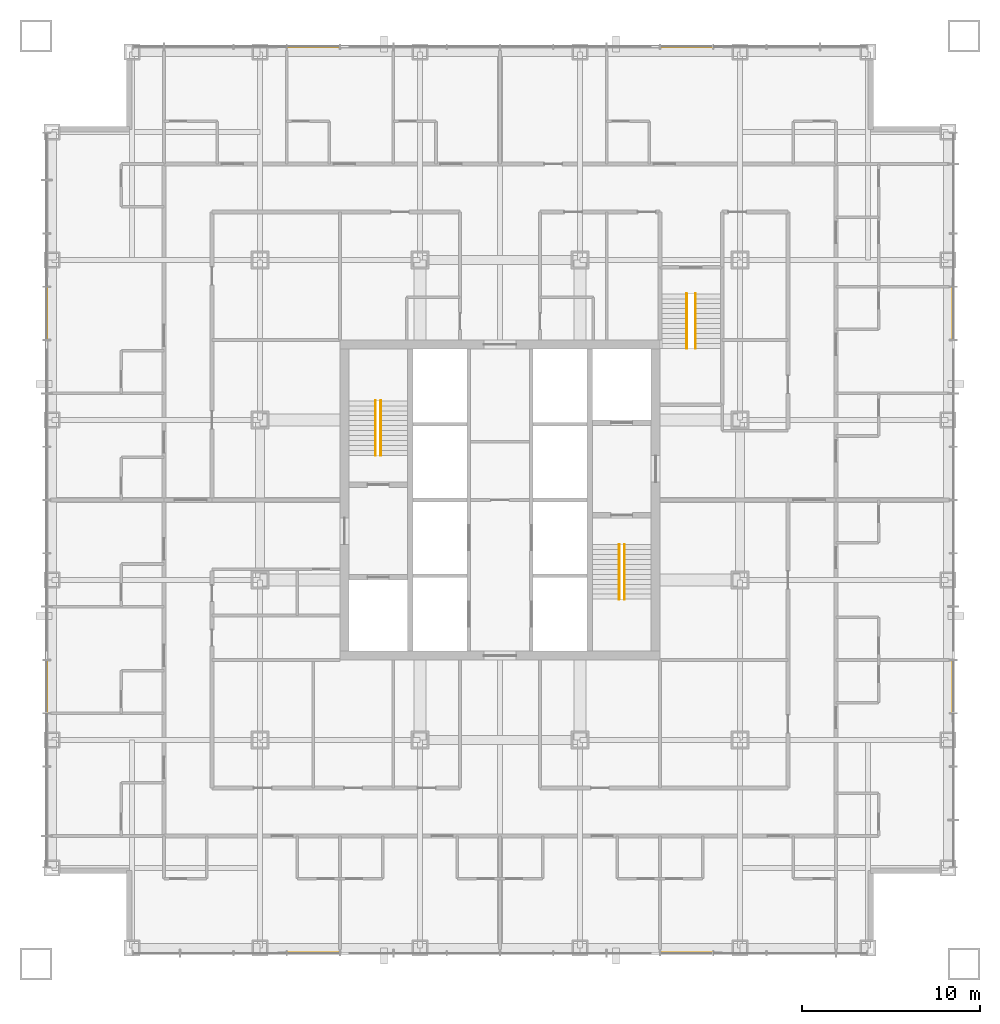
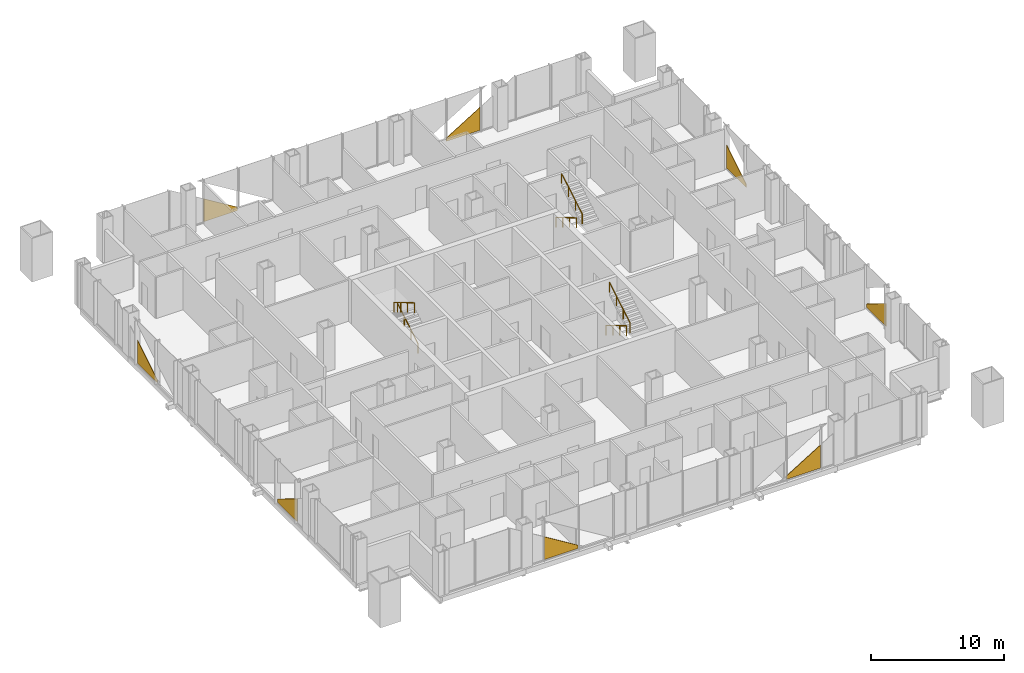
# One storey, part 13 of 17: 8 coverings, 6 railings.
"""IFC4 building model written with IfcOpenShell, lengths in metres."""

from ifc_helpers import new_model, si_unit, direction, frame, origin, origin_2d, place, context, subcontext, project, spatial, polyline, circle, outline, extrude, material, layer, layer_set, type_object, element, save


model = new_model("IFC4")

# Units and contexts
model_context = context("Model", 3, precision=1e-05, world=origin(), true_north=direction((0.0, 1.0)))
body_context = subcontext(model_context, "Body", "Model", "MODEL_VIEW")
ifc_project = project(units=[si_unit("LENGTHUNIT", "METRE"), si_unit("AREAUNIT", "SQUARE_METRE"), si_unit("VOLUMEUNIT", "CUBIC_METRE"), si_unit("PLANEANGLEUNIT", "RADIAN"), si_unit("MASSUNIT", "GRAM", prefix="KILO")], contexts=[model_context])

# Site, building, storey
site_placement = place(None, origin())
site = spatial("IfcSite", under=ifc_project, at=site_placement, CompositionType="ELEMENT")
building_placement = place(site_placement, origin())
building = spatial("IfcBuilding", under=site, at=building_placement, Name="Malebo Sky Hospital", CompositionType="ELEMENT")
storey_placement = place(building_placement, frame((0.0, 0.0, 51.0)))
storey = spatial("IfcBuildingStorey", under=building, at=storey_placement, Name="L11", CompositionType="ELEMENT", Elevation=51.0)

# Coverings
ifc_material_1 = material(Name="Anodised aluminium, natural silver insulated infill panel", Category="aluminium")
ifc_layer = layer(ifc_material_1, 0.0400390625)
ifc_layer_set = layer_set([ifc_layer], Name="BRACE INFILL PANEL 40")
covering_type = type_object("IfcCoveringType", Name="BRACE INFILL PANEL 40", PredefinedType="CLADDING", material=ifc_layer_set)
covering_1_placement = place(storey_placement, frame((49.5, 87.5, 0.10009765625), z_axis=(0.0, 0.0, 1.0), x_axis=(1.0, 0.0, 0.0)))
element("IfcCovering", 1, at=covering_1_placement, inside=storey, type_object=covering_type, Name="Brace infill panel 4.1", PredefinedType="CLADDING", context=body_context, shape_type="SweptSolid", body=[
    extrude(outline(polyline([(-1.46240234375, 0.0), (1.46240234375, 0.0), (1.46240234375, 0.306640625), (-1.46240234375, 2.099609375), (-1.46240234375, 0.0)])), frame((0.0, 0.02001953125, 0.0), z_axis=(0.0, -1.0, 0.0), x_axis=(1.0, 0.0, 0.0)), (0.0, 0.0, 1.0), 0.0400390625),
])
covering_2_placement = place(storey_placement, frame((70.5, 87.5, 0.10009765625), z_axis=(0.0, 0.0, 1.0), x_axis=(1.0, 0.0, 0.0)))
element("IfcCovering", 2, at=covering_2_placement, inside=storey, type_object=covering_type, Name="Brace infill panel 11.1", PredefinedType="CLADDING", context=body_context, shape_type="SweptSolid", body=[
    extrude(outline(polyline([(-1.46240234375, 0.0), (1.46240234375, 0.0), (1.46240234375, 2.099609375), (-1.46240234375, 0.306640625), (-1.46240234375, 0.0)])), frame((0.0, 0.02001953125, 0.0), z_axis=(0.0, -1.0, 0.0), x_axis=(1.0, 0.0, 0.0)), (0.0, 0.0, 1.0), 0.0400390625),
])
covering_3_placement = place(storey_placement, frame((34.5, 51.5, 0.10009765625), z_axis=(0.0, 0.0, 1.0), x_axis=(0.0, 1.0, 0.0)))
element("IfcCovering", 3, at=covering_3_placement, inside=storey, type_object=covering_type, Name="Brace infill panel 4.1", PredefinedType="CLADDING", context=body_context, shape_type="SweptSolid", body=[
    extrude(outline(polyline([(-1.46240234375, 0.0), (1.46240234375, 0.0), (1.46240234375, 0.306640625), (-1.46240234375, 2.099609375), (-1.46240234375, 0.0)])), frame((0.0, 0.02001953125, 0.0), z_axis=(0.0, -1.0, 0.0), x_axis=(1.0, 0.0, 0.0)), (0.0, 0.0, 1.0), 0.0400390625),
])
covering_4_placement = place(storey_placement, frame((34.5, 72.5, 0.10009765625), z_axis=(0.0, 0.0, 1.0), x_axis=(0.0, 1.0, 0.0)))
element("IfcCovering", 4, at=covering_4_placement, inside=storey, type_object=covering_type, Name="Brace infill panel 11.1", PredefinedType="CLADDING", context=body_context, shape_type="SweptSolid", body=[
    extrude(outline(polyline([(-1.46240234375, 0.0), (1.46240234375, 0.0), (1.46240234375, 2.099609375), (-1.46240234375, 0.306640625), (-1.46240234375, 0.0)])), frame((0.0, 0.02001953125, 0.0), z_axis=(0.0, -1.0, 0.0), x_axis=(1.0, 0.0, 0.0)), (0.0, 0.0, 1.0), 0.0400390625),
])
covering_5_placement = place(storey_placement, frame((70.5, 36.5, 0.10009765625), z_axis=(0.0, 0.0, 1.0), x_axis=(-1.0, 0.0, 0.0)))
element("IfcCovering", 5, at=covering_5_placement, inside=storey, type_object=covering_type, Name="Brace infill panel 4.1", PredefinedType="CLADDING", context=body_context, shape_type="SweptSolid", body=[
    extrude(outline(polyline([(-1.46240234375, 0.0), (1.46240234375, 0.0), (1.46240234375, 0.306640625), (-1.46240234375, 2.099609375), (-1.46240234375, 0.0)])), frame((0.0, 0.02001953125, 0.0), z_axis=(0.0, -1.0, 0.0), x_axis=(1.0, 0.0, 0.0)), (0.0, 0.0, 1.0), 0.0400390625),
])
covering_6_placement = place(storey_placement, frame((49.5, 36.5, 0.10009765625), z_axis=(0.0, 0.0, 1.0), x_axis=(-1.0, 0.0, 0.0)))
element("IfcCovering", 6, at=covering_6_placement, inside=storey, type_object=covering_type, Name="Brace infill panel 11.1", PredefinedType="CLADDING", context=body_context, shape_type="SweptSolid", body=[
    extrude(outline(polyline([(-1.46240234375, 0.0), (1.46240234375, 0.0), (1.46240234375, 2.099609375), (-1.46240234375, 0.306640625), (-1.46240234375, 0.0)])), frame((0.0, 0.02001953125, 0.0), z_axis=(0.0, -1.0, 0.0), x_axis=(1.0, 0.0, 0.0)), (0.0, 0.0, 1.0), 0.0400390625),
])
covering_7_placement = place(storey_placement, frame((85.5, 72.5, 0.10009765625), z_axis=(0.0, 0.0, 1.0), x_axis=(0.0, -1.0, 0.0)))
element("IfcCovering", 7, at=covering_7_placement, inside=storey, type_object=covering_type, Name="Brace infill panel 4.1", PredefinedType="CLADDING", context=body_context, shape_type="SweptSolid", body=[
    extrude(outline(polyline([(-1.46240234375, 0.0), (1.46240234375, 0.0), (1.46240234375, 0.306640625), (-1.46240234375, 2.099609375), (-1.46240234375, 0.0)])), frame((0.0, 0.02001953125, 0.0), z_axis=(0.0, -1.0, 0.0), x_axis=(1.0, 0.0, 0.0)), (0.0, 0.0, 1.0), 0.0400390625),
])
covering_8_placement = place(storey_placement, frame((85.5, 51.5, 0.10009765625), z_axis=(0.0, 0.0, 1.0), x_axis=(0.0, -1.0, 0.0)))
element("IfcCovering", 8, at=covering_8_placement, inside=storey, type_object=covering_type, Name="Brace infill panel 11.1", PredefinedType="CLADDING", context=body_context, shape_type="SweptSolid", body=[
    extrude(outline(polyline([(-1.46240234375, 0.0), (1.46240234375, 0.0), (1.46240234375, 2.099609375), (-1.46240234375, 0.306640625), (-1.46240234375, 0.0)])), frame((0.0, 0.02001953125, 0.0), z_axis=(0.0, -1.0, 0.0), x_axis=(1.0, 0.0, 0.0)), (0.0, 0.0, 1.0), 0.0400390625),
])

# Railings
ifc_material_2 = material(Name="Stainless steel tube", Category="steel")
railing_type = type_object("IfcRailingType", Name="STAIR HANDRAIL 900", PredefinedType="HANDRAIL", material=ifc_material_2)
railing_1_placement = place(storey_placement, frame((53.300048828125, 64.5, 0.166748046875)))
element("IfcRailing", 9, at=railing_1_placement, inside=storey, type_object=railing_type, Name="Stair handrail S1 flight 1", PredefinedType="HANDRAIL", context=body_context, shape_type="SweptSolid", body=[
    extrude(circle(Radius=0.02392578125, at=origin_2d()), frame((0.0, 0.0, 0.8759765625), z_axis=(0.0, 0.859308565015, 0.511457515432), x_axis=(-1.0, 0.0, 0.0)), (0.0, 0.0, 1.0), 3.58447265625),
    extrude(circle(Radius=0.02099609375, at=origin_2d()), origin(), (0.0, 0.0, 1.0), 0.851806640625),
    extrude(circle(Radius=0.02099609375, at=origin_2d()), frame((0.0, 1.026611328125, 0.611083984375)), (0.0, 0.0, 1.0), 0.851806640625),
    extrude(circle(Radius=0.02099609375, at=origin_2d()), frame((0.0, 2.053466796875, 1.22216796875)), (0.0, 0.0, 1.0), 0.851806640625),
    extrude(circle(Radius=0.02099609375, at=origin_2d()), frame((0.0, 3.080078125, 1.833251953125)), (0.0, 0.0, 1.0), 0.851806640625),
])
for number, where, name in (
    (10, (53.0, 67.580078125, 2.166748046875), "Stair handrail S1 flight 2"),
    (11, (66.699951171875, 59.5, 0.166748046875), "Stair handrail S2 flight 1"),
):
    element("IfcRailing", number, at=place(storey_placement, frame(where)), inside=storey, type_object=railing_type, Name=name, PredefinedType="HANDRAIL", context=body_context, shape_type="SweptSolid", body=[
        extrude(circle(Radius=0.02392578125, at=origin_2d()), frame((0.0, 0.0, 0.8759765625), z_axis=(0.0, -0.859308565015, 0.511457515432), x_axis=(1.0, 0.0, 0.0)), (0.0, 0.0, 1.0), 3.58447265625),
        extrude(circle(Radius=0.02099609375, at=origin_2d()), origin(), (0.0, 0.0, 1.0), 0.851806640625),
        extrude(circle(Radius=0.02099609375, at=origin_2d()), frame((0.0, -1.026611328125, 0.611083984375)), (0.0, 0.0, 1.0), 0.851806640625),
        extrude(circle(Radius=0.02099609375, at=origin_2d()), frame((0.0, -2.053466796875, 1.22216796875)), (0.0, 0.0, 1.0), 0.851806640625),
        extrude(circle(Radius=0.02099609375, at=origin_2d()), frame((0.0, -3.080078125, 1.833251953125)), (0.0, 0.0, 1.0), 0.851806640625),
    ])
railing_2_placement = place(storey_placement, frame((67.0, 56.419921875, 2.166748046875)))
element("IfcRailing", 12, at=railing_2_placement, inside=storey, type_object=railing_type, Name="Stair handrail S2 flight 2", PredefinedType="HANDRAIL", context=body_context, shape_type="SweptSolid", body=[
    extrude(circle(Radius=0.02392578125, at=origin_2d()), frame((0.0, 0.0, 0.8759765625), z_axis=(0.0, 0.859308565015, 0.511457515432), x_axis=(-1.0, 0.0, 0.0)), (0.0, 0.0, 1.0), 3.58447265625),
    extrude(circle(Radius=0.02099609375, at=origin_2d()), origin(), (0.0, 0.0, 1.0), 0.851806640625),
    extrude(circle(Radius=0.02099609375, at=origin_2d()), frame((0.0, 1.026611328125, 0.611083984375)), (0.0, 0.0, 1.0), 0.851806640625),
    extrude(circle(Radius=0.02099609375, at=origin_2d()), frame((0.0, 2.053466796875, 1.22216796875)), (0.0, 0.0, 1.0), 0.851806640625),
    extrude(circle(Radius=0.02099609375, at=origin_2d()), frame((0.0, 3.080078125, 1.833251953125)), (0.0, 0.0, 1.0), 0.851806640625),
])
railing_3_placement = place(storey_placement, frame((70.5, 73.60009765625, 0.166748046875)))
element("IfcRailing", 13, at=railing_3_placement, inside=storey, type_object=railing_type, Name="Stair handrail S3 flight 1", PredefinedType="HANDRAIL", context=body_context, shape_type="SweptSolid", body=[
    extrude(circle(Radius=0.02392578125, at=origin_2d()), frame((0.0, 0.0, 0.8759765625), z_axis=(0.0, -0.859308565015, 0.511457515432), x_axis=(1.0, 0.0, 0.0)), (0.0, 0.0, 1.0), 3.58447265625),
    extrude(circle(Radius=0.02099609375, at=origin_2d()), origin(), (0.0, 0.0, 1.0), 0.851806640625),
    extrude(circle(Radius=0.02099609375, at=origin_2d()), frame((0.0, -1.026611328125, 0.611083984375)), (0.0, 0.0, 1.0), 0.851806640625),
    extrude(circle(Radius=0.02099609375, at=origin_2d()), frame((0.0, -2.053466796875, 1.22216796875)), (0.0, 0.0, 1.0), 0.851806640625),
    extrude(circle(Radius=0.02099609375, at=origin_2d()), frame((0.0, -3.080078125, 1.833251953125)), (0.0, 0.0, 1.0), 0.851806640625),
])
railing_4_placement = place(storey_placement, frame((71.0, 70.52001953125, 2.166748046875)))
element("IfcRailing", 14, at=railing_4_placement, inside=storey, type_object=railing_type, Name="Stair handrail S3 flight 2", PredefinedType="HANDRAIL", context=body_context, shape_type="SweptSolid", body=[
    extrude(circle(Radius=0.02392578125, at=origin_2d()), frame((0.0, 0.0, 0.8759765625), z_axis=(0.0, 0.859308565015, 0.511457515432), x_axis=(-1.0, 0.0, 0.0)), (0.0, 0.0, 1.0), 3.58447265625),
    extrude(circle(Radius=0.02099609375, at=origin_2d()), origin(), (0.0, 0.0, 1.0), 0.851806640625),
    extrude(circle(Radius=0.02099609375, at=origin_2d()), frame((0.0, 1.026611328125, 0.611083984375)), (0.0, 0.0, 1.0), 0.851806640625),
    extrude(circle(Radius=0.02099609375, at=origin_2d()), frame((0.0, 2.053466796875, 1.22216796875)), (0.0, 0.0, 1.0), 0.851806640625),
    extrude(circle(Radius=0.02099609375, at=origin_2d()), frame((0.0, 3.080078125, 1.833251953125)), (0.0, 0.0, 1.0), 0.851806640625),
])

save(model, "model.ifc")
